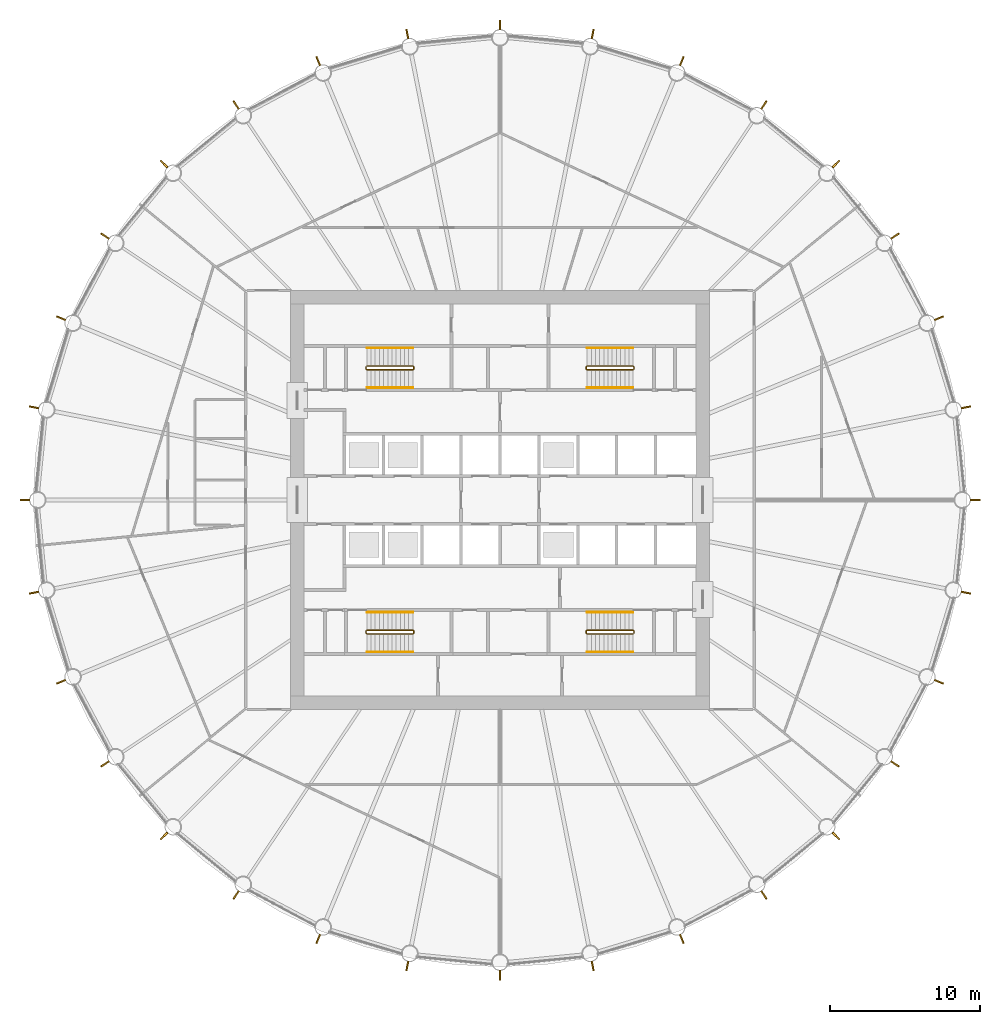
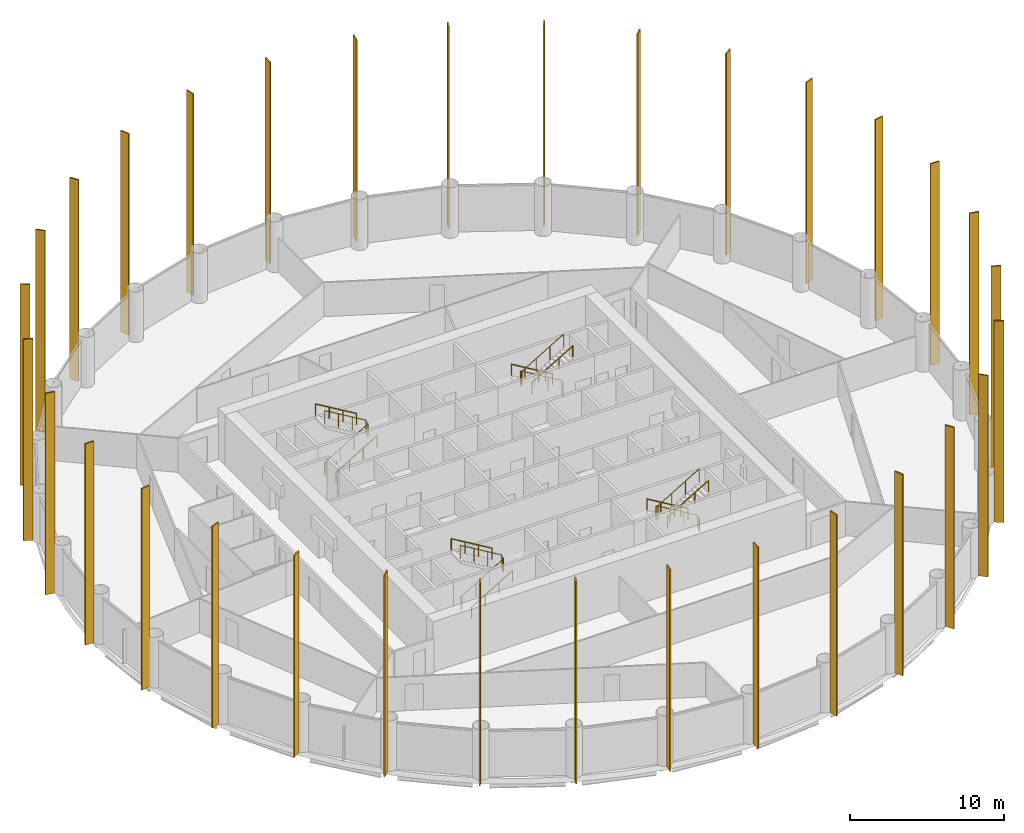
# One storey, part 9 of 10: 32 shading devices, 12 railings.
"""IFC4 building model written with IfcOpenShell, lengths in metres."""

from ifc_helpers import new_model, si_unit, direction, frame, origin, origin_2d, place, context, subcontext, project, spatial, rectangle, circle, extrude, material, material_profile, profile_set, type_object, element, save


model = new_model("IFC4")

# Units and contexts
model_context = context("Model", 3, precision=1e-05, world=origin(), true_north=direction((0.0, 1.0)))
body_context = subcontext(model_context, "Body", "Model", "MODEL_VIEW")
ifc_project = project(units=[si_unit("LENGTHUNIT", "METRE"), si_unit("AREAUNIT", "SQUARE_METRE"), si_unit("VOLUMEUNIT", "CUBIC_METRE"), si_unit("PLANEANGLEUNIT", "RADIAN"), si_unit("MASSUNIT", "GRAM", prefix="KILO")], contexts=[model_context])

# Site, building, storey
site_placement = place(None, origin())
site = spatial("IfcSite", under=ifc_project, at=site_placement, CompositionType="ELEMENT")
building_placement = place(site_placement, origin())
building = spatial("IfcBuilding", under=site, at=building_placement, Name="Corvane Civic Tower", CompositionType="ELEMENT")
storey_placement = place(building_placement, frame((0.0, 0.0, 144.0)))
storey = spatial("IfcBuildingStorey", under=building, at=storey_placement, Name="L33", CompositionType="ELEMENT", Elevation=144.0)

# Railings
ifc_material_1 = material(Name="Steel ASTM A572 Gr 50", Category="steel")
railing_type_1 = type_object("IfcRailingType", Name="ST-GUARD-1100", PredefinedType="GUARDRAIL", material=ifc_material_1)
railing_1_placement = place(storey_placement, frame((8.949951171875, 8.75, 0.0)))
element("IfcRailing", 1, at=railing_1_placement, inside=storey, type_object=railing_type_1, Name="L33 ST1 stair guard 1", PredefinedType="GUARDRAIL", context=body_context, shape_type="SweptSolid", body=[
    extrude(circle(Radius=0.02392578125, at=origin_2d()), frame((0.0, 0.0, 1.076171875), z_axis=(0.0, 1.0, 0.0), x_axis=(-1.0, 0.0, 0.0)), (0.0, 0.0, 1.0), 0.14990234375),
    extrude(circle(Radius=0.02392578125, at=origin_2d()), frame((0.0, 0.14990234375, 1.076171875), z_axis=(-0.27628659633, 0.27628659633, 0.920506074601), x_axis=(-0.707106781187, -0.707106781187, 0.0)), (0.0, 0.0, 1.0), 0.18115234375),
    extrude(circle(Radius=0.02392578125, at=origin_2d()), frame((-0.050048828125, 0.199951171875, 1.24267578125), z_axis=(-0.859290745958, 0.0, 0.51148745235), x_axis=(0.0, -1.0, 0.0)), (0.0, 0.0, 1.0), 3.584228515625),
    extrude(circle(Radius=0.02392578125, at=origin_2d()), frame((-3.1298828125, 0.199951171875, 3.076171875), z_axis=(-0.707106781187, -0.707106781187, 0.0), x_axis=(0.707106781187, -0.707106781187, 0.0)), (0.0, 0.0, 1.0), 0.07080078125),
    extrude(circle(Radius=0.02392578125, at=origin_2d()), frame((-3.179931640625, 0.14990234375, 3.076171875), z_axis=(0.0, -1.0, 0.0), x_axis=(1.0, 0.0, 0.0)), (0.0, 0.0, 1.0), 0.14990234375),
    extrude(circle(Radius=0.02392578125, at=origin_2d()), frame((-3.179931640625, 0.0, 3.076171875), z_axis=(0.27628659633, -0.27628659633, 0.920506074601), x_axis=(0.707106781187, 0.707106781187, 0.0)), (0.0, 0.0, 1.0), 0.18115234375),
    extrude(circle(Radius=0.02392578125, at=origin_2d()), frame((-3.1298828125, -0.050048828125, 3.24267578125), z_axis=(0.859290745958, 0.0, 0.51148745235), x_axis=(0.0, 1.0, 0.0)), (0.0, 0.0, 1.0), 3.584228515625),
    extrude(circle(Radius=0.02099609375, at=origin_2d()), origin(), (0.0, 0.0, 1.0), 1.052001953125),
    extrude(circle(Radius=0.02099609375, at=origin_2d()), frame((0.0, 0.14990234375, 0.0)), (0.0, 0.0, 1.0), 1.052001953125),
    extrude(circle(Radius=0.02099609375, at=origin_2d()), frame((-0.050048828125, 0.199951171875, 0.166748046875)), (0.0, 0.0, 1.0), 1.052001953125),
    extrude(circle(Radius=0.02099609375, at=origin_2d()), frame((-1.07666015625, 0.199951171875, 0.77783203125)), (0.0, 0.0, 1.0), 1.052001953125),
    extrude(circle(Radius=0.02099609375, at=origin_2d()), frame((-2.103271484375, 0.199951171875, 1.388916015625)), (0.0, 0.0, 1.0), 1.052001953125),
    extrude(circle(Radius=0.02099609375, at=origin_2d()), frame((-3.1298828125, 0.199951171875, 2.0)), (0.0, 0.0, 1.0), 1.052001953125),
    extrude(circle(Radius=0.02099609375, at=origin_2d()), frame((-3.179931640625, 0.14990234375, 2.0)), (0.0, 0.0, 1.0), 1.052001953125),
    extrude(circle(Radius=0.02099609375, at=origin_2d()), frame((-3.179931640625, 0.0, 2.0)), (0.0, 0.0, 1.0), 1.052001953125),
    extrude(circle(Radius=0.02099609375, at=origin_2d()), frame((-3.1298828125, -0.050048828125, 2.166748046875)), (0.0, 0.0, 1.0), 1.052001953125),
    extrude(circle(Radius=0.02099609375, at=origin_2d()), frame((-2.103271484375, -0.050048828125, 2.77783203125)), (0.0, 0.0, 1.0), 1.052001953125),
    extrude(circle(Radius=0.02099609375, at=origin_2d()), frame((-1.07666015625, -0.050048828125, 3.388916015625)), (0.0, 0.0, 1.0), 1.052001953125),
    extrude(circle(Radius=0.02099609375, at=origin_2d()), frame((-0.050048828125, -0.050048828125, 4.0)), (0.0, 0.0, 1.0), 1.052001953125),
])
railing_2_placement = place(storey_placement, frame((8.949951171875, -8.89990234375, 0.0)))
element("IfcRailing", 2, at=railing_2_placement, inside=storey, type_object=railing_type_1, Name="L33 ST2 stair guard 1", PredefinedType="GUARDRAIL", context=body_context, shape_type="SweptSolid", body=[
    extrude(circle(Radius=0.02392578125, at=origin_2d()), frame((0.0, 0.0, 1.076171875), z_axis=(0.0, 1.0, 0.0), x_axis=(-1.0, 0.0, 0.0)), (0.0, 0.0, 1.0), 0.14990234375),
    extrude(circle(Radius=0.02392578125, at=origin_2d()), frame((0.0, 0.14990234375, 1.076171875), z_axis=(-0.27628659633, 0.27628659633, 0.920506074601), x_axis=(-0.707106781187, -0.707106781187, 0.0)), (0.0, 0.0, 1.0), 0.18115234375),
    extrude(circle(Radius=0.02392578125, at=origin_2d()), frame((-0.050048828125, 0.199951171875, 1.24267578125), z_axis=(-0.859290745958, 0.0, 0.51148745235), x_axis=(0.0, -1.0, 0.0)), (0.0, 0.0, 1.0), 3.584228515625),
    extrude(circle(Radius=0.02392578125, at=origin_2d()), frame((-3.1298828125, 0.199951171875, 3.076171875), z_axis=(-0.707106781187, -0.707106781187, 0.0), x_axis=(0.707106781187, -0.707106781187, 0.0)), (0.0, 0.0, 1.0), 0.07080078125),
    extrude(circle(Radius=0.02392578125, at=origin_2d()), frame((-3.179931640625, 0.14990234375, 3.076171875), z_axis=(0.0, -1.0, 0.0), x_axis=(1.0, 0.0, 0.0)), (0.0, 0.0, 1.0), 0.14990234375),
    extrude(circle(Radius=0.02392578125, at=origin_2d()), frame((-3.179931640625, 0.0, 3.076171875), z_axis=(0.27628659633, -0.27628659633, 0.920506074601), x_axis=(0.707106781187, 0.707106781187, 0.0)), (0.0, 0.0, 1.0), 0.18115234375),
    extrude(circle(Radius=0.02392578125, at=origin_2d()), frame((-3.1298828125, -0.050048828125, 3.24267578125), z_axis=(0.859290745958, 0.0, 0.51148745235), x_axis=(0.0, 1.0, 0.0)), (0.0, 0.0, 1.0), 3.584228515625),
    extrude(circle(Radius=0.02099609375, at=origin_2d()), origin(), (0.0, 0.0, 1.0), 1.052001953125),
    extrude(circle(Radius=0.02099609375, at=origin_2d()), frame((0.0, 0.14990234375, 0.0)), (0.0, 0.0, 1.0), 1.052001953125),
    extrude(circle(Radius=0.02099609375, at=origin_2d()), frame((-0.050048828125, 0.199951171875, 0.166748046875)), (0.0, 0.0, 1.0), 1.052001953125),
    extrude(circle(Radius=0.02099609375, at=origin_2d()), frame((-1.07666015625, 0.199951171875, 0.77783203125)), (0.0, 0.0, 1.0), 1.052001953125),
    extrude(circle(Radius=0.02099609375, at=origin_2d()), frame((-2.103271484375, 0.199951171875, 1.388916015625)), (0.0, 0.0, 1.0), 1.052001953125),
    extrude(circle(Radius=0.02099609375, at=origin_2d()), frame((-3.1298828125, 0.199951171875, 2.0)), (0.0, 0.0, 1.0), 1.052001953125),
    extrude(circle(Radius=0.02099609375, at=origin_2d()), frame((-3.179931640625, 0.14990234375, 2.0)), (0.0, 0.0, 1.0), 1.052001953125),
    extrude(circle(Radius=0.02099609375, at=origin_2d()), frame((-3.179931640625, 0.0, 2.0)), (0.0, 0.0, 1.0), 1.052001953125),
    extrude(circle(Radius=0.02099609375, at=origin_2d()), frame((-3.1298828125, -0.050048828125, 2.166748046875)), (0.0, 0.0, 1.0), 1.052001953125),
    extrude(circle(Radius=0.02099609375, at=origin_2d()), frame((-2.103271484375, -0.050048828125, 2.77783203125)), (0.0, 0.0, 1.0), 1.052001953125),
    extrude(circle(Radius=0.02099609375, at=origin_2d()), frame((-1.07666015625, -0.050048828125, 3.388916015625)), (0.0, 0.0, 1.0), 1.052001953125),
    extrude(circle(Radius=0.02099609375, at=origin_2d()), frame((-0.050048828125, -0.050048828125, 4.0)), (0.0, 0.0, 1.0), 1.052001953125),
])
railing_3_placement = place(storey_placement, frame((-8.949951171875, -8.75, 0.0)))
element("IfcRailing", 3, at=railing_3_placement, inside=storey, type_object=railing_type_1, Name="L33 ST3 stair guard 1", PredefinedType="GUARDRAIL", context=body_context, shape_type="SweptSolid", body=[
    extrude(circle(Radius=0.02392578125, at=origin_2d()), frame((0.0, 0.0, 1.076171875), z_axis=(0.0, -1.0, 0.0), x_axis=(1.0, 0.0, 0.0)), (0.0, 0.0, 1.0), 0.14990234375),
    extrude(circle(Radius=0.02392578125, at=origin_2d()), frame((0.0, -0.14990234375, 1.076171875), z_axis=(0.27628659633, -0.27628659633, 0.920506074601), x_axis=(0.707106781187, 0.707106781187, 0.0)), (0.0, 0.0, 1.0), 0.18115234375),
    extrude(circle(Radius=0.02392578125, at=origin_2d()), frame((0.050048828125, -0.199951171875, 1.24267578125), z_axis=(0.859290745958, 0.0, 0.51148745235), x_axis=(0.0, 1.0, 0.0)), (0.0, 0.0, 1.0), 3.584228515625),
    extrude(circle(Radius=0.02392578125, at=origin_2d()), frame((3.1298828125, -0.199951171875, 3.076171875), z_axis=(0.707106781187, 0.707106781187, 0.0), x_axis=(-0.707106781187, 0.707106781187, 0.0)), (0.0, 0.0, 1.0), 0.07080078125),
    extrude(circle(Radius=0.02392578125, at=origin_2d()), frame((3.179931640625, -0.14990234375, 3.076171875), z_axis=(0.0, 1.0, 0.0), x_axis=(-1.0, 0.0, 0.0)), (0.0, 0.0, 1.0), 0.14990234375),
    extrude(circle(Radius=0.02392578125, at=origin_2d()), frame((3.179931640625, 0.0, 3.076171875), z_axis=(-0.27628659633, 0.27628659633, 0.920506074601), x_axis=(-0.707106781187, -0.707106781187, 0.0)), (0.0, 0.0, 1.0), 0.18115234375),
    extrude(circle(Radius=0.02392578125, at=origin_2d()), frame((3.1298828125, 0.050048828125, 3.24267578125), z_axis=(-0.859290745958, 0.0, 0.51148745235), x_axis=(0.0, -1.0, 0.0)), (0.0, 0.0, 1.0), 3.584228515625),
    extrude(circle(Radius=0.02099609375, at=origin_2d()), origin(), (0.0, 0.0, 1.0), 1.052001953125),
    extrude(circle(Radius=0.02099609375, at=origin_2d()), frame((0.0, -0.14990234375, 0.0)), (0.0, 0.0, 1.0), 1.052001953125),
    extrude(circle(Radius=0.02099609375, at=origin_2d()), frame((0.050048828125, -0.199951171875, 0.166748046875)), (0.0, 0.0, 1.0), 1.052001953125),
    extrude(circle(Radius=0.02099609375, at=origin_2d()), frame((1.07666015625, -0.199951171875, 0.77783203125)), (0.0, 0.0, 1.0), 1.052001953125),
    extrude(circle(Radius=0.02099609375, at=origin_2d()), frame((2.103271484375, -0.199951171875, 1.388916015625)), (0.0, 0.0, 1.0), 1.052001953125),
    extrude(circle(Radius=0.02099609375, at=origin_2d()), frame((3.1298828125, -0.199951171875, 2.0)), (0.0, 0.0, 1.0), 1.052001953125),
    extrude(circle(Radius=0.02099609375, at=origin_2d()), frame((3.179931640625, -0.14990234375, 2.0)), (0.0, 0.0, 1.0), 1.052001953125),
    extrude(circle(Radius=0.02099609375, at=origin_2d()), frame((3.179931640625, 0.0, 2.0)), (0.0, 0.0, 1.0), 1.052001953125),
    extrude(circle(Radius=0.02099609375, at=origin_2d()), frame((3.1298828125, 0.050048828125, 2.166748046875)), (0.0, 0.0, 1.0), 1.052001953125),
    extrude(circle(Radius=0.02099609375, at=origin_2d()), frame((2.103271484375, 0.050048828125, 2.77783203125)), (0.0, 0.0, 1.0), 1.052001953125),
    extrude(circle(Radius=0.02099609375, at=origin_2d()), frame((1.07666015625, 0.050048828125, 3.388916015625)), (0.0, 0.0, 1.0), 1.052001953125),
    extrude(circle(Radius=0.02099609375, at=origin_2d()), frame((0.050048828125, 0.050048828125, 4.0)), (0.0, 0.0, 1.0), 1.052001953125),
])
railing_4_placement = place(storey_placement, frame((-8.949951171875, 8.89990234375, 0.0)))
element("IfcRailing", 4, at=railing_4_placement, inside=storey, type_object=railing_type_1, Name="L33 ST4 stair guard 1", PredefinedType="GUARDRAIL", context=body_context, shape_type="SweptSolid", body=[
    extrude(circle(Radius=0.02392578125, at=origin_2d()), frame((0.0, 0.0, 1.076171875), z_axis=(0.0, -1.0, 0.0), x_axis=(1.0, 0.0, 0.0)), (0.0, 0.0, 1.0), 0.14990234375),
    extrude(circle(Radius=0.02392578125, at=origin_2d()), frame((0.0, -0.14990234375, 1.076171875), z_axis=(0.27628659633, -0.27628659633, 0.920506074601), x_axis=(0.707106781187, 0.707106781187, 0.0)), (0.0, 0.0, 1.0), 0.18115234375),
    extrude(circle(Radius=0.02392578125, at=origin_2d()), frame((0.050048828125, -0.199951171875, 1.24267578125), z_axis=(0.859290745958, 0.0, 0.51148745235), x_axis=(0.0, 1.0, 0.0)), (0.0, 0.0, 1.0), 3.584228515625),
    extrude(circle(Radius=0.02392578125, at=origin_2d()), frame((3.1298828125, -0.199951171875, 3.076171875), z_axis=(0.707106781187, 0.707106781187, 0.0), x_axis=(-0.707106781187, 0.707106781187, 0.0)), (0.0, 0.0, 1.0), 0.07080078125),
    extrude(circle(Radius=0.02392578125, at=origin_2d()), frame((3.179931640625, -0.14990234375, 3.076171875), z_axis=(0.0, 1.0, 0.0), x_axis=(-1.0, 0.0, 0.0)), (0.0, 0.0, 1.0), 0.14990234375),
    extrude(circle(Radius=0.02392578125, at=origin_2d()), frame((3.179931640625, 0.0, 3.076171875), z_axis=(-0.27628659633, 0.27628659633, 0.920506074601), x_axis=(-0.707106781187, -0.707106781187, 0.0)), (0.0, 0.0, 1.0), 0.18115234375),
    extrude(circle(Radius=0.02392578125, at=origin_2d()), frame((3.1298828125, 0.050048828125, 3.24267578125), z_axis=(-0.859290745958, 0.0, 0.51148745235), x_axis=(0.0, -1.0, 0.0)), (0.0, 0.0, 1.0), 3.584228515625),
    extrude(circle(Radius=0.02099609375, at=origin_2d()), origin(), (0.0, 0.0, 1.0), 1.052001953125),
    extrude(circle(Radius=0.02099609375, at=origin_2d()), frame((0.0, -0.14990234375, 0.0)), (0.0, 0.0, 1.0), 1.052001953125),
    extrude(circle(Radius=0.02099609375, at=origin_2d()), frame((0.050048828125, -0.199951171875, 0.166748046875)), (0.0, 0.0, 1.0), 1.052001953125),
    extrude(circle(Radius=0.02099609375, at=origin_2d()), frame((1.07666015625, -0.199951171875, 0.77783203125)), (0.0, 0.0, 1.0), 1.052001953125),
    extrude(circle(Radius=0.02099609375, at=origin_2d()), frame((2.103271484375, -0.199951171875, 1.388916015625)), (0.0, 0.0, 1.0), 1.052001953125),
    extrude(circle(Radius=0.02099609375, at=origin_2d()), frame((3.1298828125, -0.199951171875, 2.0)), (0.0, 0.0, 1.0), 1.052001953125),
    extrude(circle(Radius=0.02099609375, at=origin_2d()), frame((3.179931640625, -0.14990234375, 2.0)), (0.0, 0.0, 1.0), 1.052001953125),
    extrude(circle(Radius=0.02099609375, at=origin_2d()), frame((3.179931640625, 0.0, 2.0)), (0.0, 0.0, 1.0), 1.052001953125),
    extrude(circle(Radius=0.02099609375, at=origin_2d()), frame((3.1298828125, 0.050048828125, 2.166748046875)), (0.0, 0.0, 1.0), 1.052001953125),
    extrude(circle(Radius=0.02099609375, at=origin_2d()), frame((2.103271484375, 0.050048828125, 2.77783203125)), (0.0, 0.0, 1.0), 1.052001953125),
    extrude(circle(Radius=0.02099609375, at=origin_2d()), frame((1.07666015625, 0.050048828125, 3.388916015625)), (0.0, 0.0, 1.0), 1.052001953125),
    extrude(circle(Radius=0.02099609375, at=origin_2d()), frame((0.050048828125, 0.050048828125, 4.0)), (0.0, 0.0, 1.0), 1.052001953125),
])
ifc_material_2 = material(Name="Steel ASTM A572 Gr 50", Category="steel")
railing_type_2 = type_object("IfcRailingType", Name="ST-HANDRAIL-900", PredefinedType="HANDRAIL", material=ifc_material_2)
railing_5_placement = place(storey_placement, frame((8.89990234375, 10.14990234375, 0.166748046875)))
element("IfcRailing", 5, at=railing_5_placement, inside=storey, type_object=railing_type_2, Name="L33 ST1 stair handrail 1", PredefinedType="HANDRAIL", context=body_context, shape_type="SweptSolid", body=[
    extrude(circle(Radius=0.02392578125, at=origin_2d()), frame((0.0, 0.0, 0.8759765625), z_axis=(-0.859290745958, 0.0, 0.51148745235), x_axis=(0.0, -1.0, 0.0)), (0.0, 0.0, 1.0), 3.584228515625),
    extrude(circle(Radius=0.02099609375, at=origin_2d()), origin(), (0.0, 0.0, 1.0), 0.851806640625),
    extrude(circle(Radius=0.02099609375, at=origin_2d()), frame((-1.026611328125, 0.0, 0.611083984375)), (0.0, 0.0, 1.0), 0.851806640625),
    extrude(circle(Radius=0.02099609375, at=origin_2d()), frame((-2.05322265625, 0.0, 1.22216796875)), (0.0, 0.0, 1.0), 0.851806640625),
    extrude(circle(Radius=0.02099609375, at=origin_2d()), frame((-3.079833984375, 0.0, 1.833251953125)), (0.0, 0.0, 1.0), 0.851806640625),
])
railing_6_placement = place(storey_placement, frame((5.820068359375, 7.5, 2.166748046875)))
element("IfcRailing", 6, at=railing_6_placement, inside=storey, type_object=railing_type_2, Name="L33 ST1 stair handrail 2", PredefinedType="HANDRAIL", context=body_context, shape_type="SweptSolid", body=[
    extrude(circle(Radius=0.02392578125, at=origin_2d()), frame((0.0, 0.0, 0.8759765625), z_axis=(0.859290745958, 0.0, 0.51148745235), x_axis=(0.0, 1.0, 0.0)), (0.0, 0.0, 1.0), 3.584228515625),
    extrude(circle(Radius=0.02099609375, at=origin_2d()), origin(), (0.0, 0.0, 1.0), 0.851806640625),
    extrude(circle(Radius=0.02099609375, at=origin_2d()), frame((1.026611328125, 0.0, 0.611083984375)), (0.0, 0.0, 1.0), 0.851806640625),
    extrude(circle(Radius=0.02099609375, at=origin_2d()), frame((2.05322265625, 0.0, 1.22216796875)), (0.0, 0.0, 1.0), 0.851806640625),
    extrude(circle(Radius=0.02099609375, at=origin_2d()), frame((3.079833984375, 0.0, 1.833251953125)), (0.0, 0.0, 1.0), 0.851806640625),
])
railing_7_placement = place(storey_placement, frame((8.89990234375, -7.5, 0.166748046875)))
element("IfcRailing", 7, at=railing_7_placement, inside=storey, type_object=railing_type_2, Name="L33 ST2 stair handrail 1", PredefinedType="HANDRAIL", context=body_context, shape_type="SweptSolid", body=[
    extrude(circle(Radius=0.02392578125, at=origin_2d()), frame((0.0, 0.0, 0.8759765625), z_axis=(-0.859290745958, 0.0, 0.51148745235), x_axis=(0.0, -1.0, 0.0)), (0.0, 0.0, 1.0), 3.584228515625),
    extrude(circle(Radius=0.02099609375, at=origin_2d()), origin(), (0.0, 0.0, 1.0), 0.851806640625),
    extrude(circle(Radius=0.02099609375, at=origin_2d()), frame((-1.026611328125, 0.0, 0.611083984375)), (0.0, 0.0, 1.0), 0.851806640625),
    extrude(circle(Radius=0.02099609375, at=origin_2d()), frame((-2.05322265625, 0.0, 1.22216796875)), (0.0, 0.0, 1.0), 0.851806640625),
    extrude(circle(Radius=0.02099609375, at=origin_2d()), frame((-3.079833984375, 0.0, 1.833251953125)), (0.0, 0.0, 1.0), 0.851806640625),
])
for number, where, name in (
    (8, (5.820068359375, -10.14990234375, 2.166748046875), "L33 ST2 stair handrail 2"),
    (9, (-8.89990234375, -10.14990234375, 0.166748046875), "L33 ST3 stair handrail 1"),
):
    element("IfcRailing", number, at=place(storey_placement, frame(where)), inside=storey, type_object=railing_type_2, Name=name, PredefinedType="HANDRAIL", context=body_context, shape_type="SweptSolid", body=[
        extrude(circle(Radius=0.02392578125, at=origin_2d()), frame((0.0, 0.0, 0.8759765625), z_axis=(0.859290745958, 0.0, 0.51148745235), x_axis=(0.0, 1.0, 0.0)), (0.0, 0.0, 1.0), 3.584228515625),
        extrude(circle(Radius=0.02099609375, at=origin_2d()), origin(), (0.0, 0.0, 1.0), 0.851806640625),
        extrude(circle(Radius=0.02099609375, at=origin_2d()), frame((1.026611328125, 0.0, 0.611083984375)), (0.0, 0.0, 1.0), 0.851806640625),
        extrude(circle(Radius=0.02099609375, at=origin_2d()), frame((2.05322265625, 0.0, 1.22216796875)), (0.0, 0.0, 1.0), 0.851806640625),
        extrude(circle(Radius=0.02099609375, at=origin_2d()), frame((3.079833984375, 0.0, 1.833251953125)), (0.0, 0.0, 1.0), 0.851806640625),
    ])
railing_8_placement = place(storey_placement, frame((-5.820068359375, -7.5, 2.166748046875)))
element("IfcRailing", 10, at=railing_8_placement, inside=storey, type_object=railing_type_2, Name="L33 ST3 stair handrail 2", PredefinedType="HANDRAIL", context=body_context, shape_type="SweptSolid", body=[
    extrude(circle(Radius=0.02392578125, at=origin_2d()), frame((0.0, 0.0, 0.8759765625), z_axis=(-0.859290745958, 0.0, 0.51148745235), x_axis=(0.0, -1.0, 0.0)), (0.0, 0.0, 1.0), 3.584228515625),
    extrude(circle(Radius=0.02099609375, at=origin_2d()), origin(), (0.0, 0.0, 1.0), 0.851806640625),
    extrude(circle(Radius=0.02099609375, at=origin_2d()), frame((-1.026611328125, 0.0, 0.611083984375)), (0.0, 0.0, 1.0), 0.851806640625),
    extrude(circle(Radius=0.02099609375, at=origin_2d()), frame((-2.05322265625, 0.0, 1.22216796875)), (0.0, 0.0, 1.0), 0.851806640625),
    extrude(circle(Radius=0.02099609375, at=origin_2d()), frame((-3.079833984375, 0.0, 1.833251953125)), (0.0, 0.0, 1.0), 0.851806640625),
])
railing_9_placement = place(storey_placement, frame((-8.89990234375, 7.5, 0.166748046875)))
element("IfcRailing", 11, at=railing_9_placement, inside=storey, type_object=railing_type_2, Name="L33 ST4 stair handrail 1", PredefinedType="HANDRAIL", context=body_context, shape_type="SweptSolid", body=[
    extrude(circle(Radius=0.02392578125, at=origin_2d()), frame((0.0, 0.0, 0.8759765625), z_axis=(0.859290745958, 0.0, 0.51148745235), x_axis=(0.0, 1.0, 0.0)), (0.0, 0.0, 1.0), 3.584228515625),
    extrude(circle(Radius=0.02099609375, at=origin_2d()), origin(), (0.0, 0.0, 1.0), 0.851806640625),
    extrude(circle(Radius=0.02099609375, at=origin_2d()), frame((1.026611328125, 0.0, 0.611083984375)), (0.0, 0.0, 1.0), 0.851806640625),
    extrude(circle(Radius=0.02099609375, at=origin_2d()), frame((2.05322265625, 0.0, 1.22216796875)), (0.0, 0.0, 1.0), 0.851806640625),
    extrude(circle(Radius=0.02099609375, at=origin_2d()), frame((3.079833984375, 0.0, 1.833251953125)), (0.0, 0.0, 1.0), 0.851806640625),
])
railing_10_placement = place(storey_placement, frame((-5.820068359375, 10.14990234375, 2.166748046875)))
element("IfcRailing", 12, at=railing_10_placement, inside=storey, type_object=railing_type_2, Name="L33 ST4 stair handrail 2", PredefinedType="HANDRAIL", context=body_context, shape_type="SweptSolid", body=[
    extrude(circle(Radius=0.02392578125, at=origin_2d()), frame((0.0, 0.0, 0.8759765625), z_axis=(-0.859290745958, 0.0, 0.51148745235), x_axis=(0.0, -1.0, 0.0)), (0.0, 0.0, 1.0), 3.584228515625),
    extrude(circle(Radius=0.02099609375, at=origin_2d()), origin(), (0.0, 0.0, 1.0), 0.851806640625),
    extrude(circle(Radius=0.02099609375, at=origin_2d()), frame((-1.026611328125, 0.0, 0.611083984375)), (0.0, 0.0, 1.0), 0.851806640625),
    extrude(circle(Radius=0.02099609375, at=origin_2d()), frame((-2.05322265625, 0.0, 1.22216796875)), (0.0, 0.0, 1.0), 0.851806640625),
    extrude(circle(Radius=0.02099609375, at=origin_2d()), frame((-3.079833984375, 0.0, 1.833251953125)), (0.0, 0.0, 1.0), 0.851806640625),
])

# Shading devices
ifc_material_3 = material(Name="Anodised aluminium bronze", Category="aluminium")
ifc_material_profile = material_profile(ifc_material_3, rectangle(XDim=0.10009765625, YDim=0.64990234375, at=origin_2d()), Name="TOWER FIN STACK 100x650 BRONZE")
ifc_profile_set = profile_set([ifc_material_profile], Name="Anodised aluminium bronze")
shading_device_type = type_object("IfcShadingDeviceType", Name="TOWER FIN STACK 100x650 BRONZE", PredefinedType="USERDEFINED", material=ifc_profile_set)
for number, where, z_axis, x_axis, name in (
    (13, (0.0, 31.7548828125, 0.0), (0.0, 0.0, 1.0), (1.0, 0.0, 0.0), "Fin 01 L33 to L36"),
    (14, (6.195068359375, 31.144775390625, 0.0), (0.0, 0.0, 1.0), (0.980785280403, -0.195090322016, 0.0), "Fin 02 L33 to L36"),
    (15, (12.152099609375, 29.337890625, 0.0), (0.0, 0.0, 1.0), (0.923879532511, -0.382683432365, 0.0), "Fin 03 L33 to L36"),
    (16, (17.64208984375, 26.4033203125, 0.0), (0.0, 0.0, 1.0), (0.831469612303, -0.55557023302, 0.0), "Fin 04 L33 to L36"),
    (17, (22.4541015625, 22.4541015625, 0.0), (0.0, 0.0, 1.0), (0.707106781187, -0.707106781187, 0.0), "Fin 05 L33 to L36"),
    (18, (26.4033203125, 17.64208984375, 0.0), (0.0, 0.0, 1.0), (0.55557023302, -0.831469612303, 0.0), "Fin 06 L33 to L36"),
    (19, (29.337890625, 12.152099609375, 0.0), (0.0, 0.0, 1.0), (0.382683432365, -0.923879532511, 0.0), "Fin 07 L33 to L36"),
    (20, (31.144775390625, 6.195068359375, 0.0), (0.0, 0.0, 1.0), (0.195090322016, -0.980785280403, 0.0), "Fin 08 L33 to L36"),
    (21, (31.7548828125, 0.0, 0.0), (0.0, 0.0, 1.0), (0.0, -1.0, 0.0), "Fin 09 L33 to L36"),
    (22, (31.144775390625, -6.195068359375, 0.0), (0.0, 0.0, 1.0), (-0.195090322016, -0.980785280403, 0.0), "Fin 10 L33 to L36"),
    (23, (29.337890625, -12.152099609375, 0.0), (0.0, 0.0, 1.0), (-0.382683432365, -0.923879532511, 0.0), "Fin 11 L33 to L36"),
    (24, (26.4033203125, -17.64208984375, 0.0), (0.0, 0.0, 1.0), (-0.55557023302, -0.831469612303, 0.0), "Fin 12 L33 to L36"),
    (25, (22.4541015625, -22.4541015625, 0.0), (0.0, 0.0, 1.0), (-0.707106781187, -0.707106781187, 0.0), "Fin 13 L33 to L36"),
    (26, (17.64208984375, -26.4033203125, 0.0), (0.0, 0.0, 1.0), (-0.831469612303, -0.55557023302, 0.0), "Fin 14 L33 to L36"),
    (27, (12.152099609375, -29.337890625, 0.0), (0.0, 0.0, 1.0), (-0.923879532511, -0.382683432365, 0.0), "Fin 15 L33 to L36"),
    (28, (6.195068359375, -31.144775390625, 0.0), (0.0, 0.0, 1.0), (-0.980785280403, -0.195090322016, 0.0), "Fin 16 L33 to L36"),
    (29, (0.0, -31.7548828125, 0.0), (0.0, 0.0, 1.0), (-1.0, 0.0, 0.0), "Fin 17 L33 to L36"),
    (30, (-6.195068359375, -31.144775390625, 0.0), (0.0, 0.0, 1.0), (-0.980785280403, 0.195090322016, 0.0), "Fin 18 L33 to L36"),
    (31, (-12.152099609375, -29.337890625, 0.0), (0.0, 0.0, 1.0), (-0.923879532511, 0.382683432365, 0.0), "Fin 19 L33 to L36"),
    (32, (-17.64208984375, -26.4033203125, 0.0), (0.0, 0.0, 1.0), (-0.831469612303, 0.55557023302, 0.0), "Fin 20 L33 to L36"),
    (33, (-22.4541015625, -22.4541015625, 0.0), (0.0, 0.0, 1.0), (-0.707106781187, 0.707106781187, 0.0), "Fin 21 L33 to L36"),
    (34, (-26.4033203125, -17.64208984375, 0.0), (0.0, 0.0, 1.0), (-0.55557023302, 0.831469612303, 0.0), "Fin 22 L33 to L36"),
    (35, (-29.337890625, -12.152099609375, 0.0), (0.0, 0.0, 1.0), (-0.382683432365, 0.923879532511, 0.0), "Fin 23 L33 to L36"),
    (36, (-31.144775390625, -6.195068359375, 0.0), (0.0, 0.0, 1.0), (-0.195090322016, 0.980785280403, 0.0), "Fin 24 L33 to L36"),
    (37, (-31.7548828125, 0.0, 0.0), (0.0, 0.0, 1.0), (0.0, 1.0, 0.0), "Fin 25 L33 to L36"),
    (38, (-31.144775390625, 6.195068359375, 0.0), (0.0, 0.0, 1.0), (0.195090322016, 0.980785280403, 0.0), "Fin 26 L33 to L36"),
    (39, (-29.337890625, 12.152099609375, 0.0), (0.0, 0.0, 1.0), (0.382683432365, 0.923879532511, 0.0), "Fin 27 L33 to L36"),
    (40, (-26.4033203125, 17.64208984375, 0.0), (0.0, 0.0, 1.0), (0.55557023302, 0.831469612303, 0.0), "Fin 28 L33 to L36"),
    (41, (-22.4541015625, 22.4541015625, 0.0), (0.0, 0.0, 1.0), (0.707106781187, 0.707106781187, 0.0), "Fin 29 L33 to L36"),
    (42, (-17.64208984375, 26.4033203125, 0.0), (0.0, 0.0, 1.0), (0.831469612303, 0.55557023302, 0.0), "Fin 30 L33 to L36"),
    (43, (-12.152099609375, 29.337890625, 0.0), (0.0, 0.0, 1.0), (0.923879532511, 0.382683432365, 0.0), "Fin 31 L33 to L36"),
    (44, (-6.195068359375, 31.144775390625, 0.0), (0.0, 0.0, 1.0), (0.980785280403, 0.195090322016, 0.0), "Fin 32 L33 to L36"),
):
    element("IfcShadingDevice", number, at=place(storey_placement, frame(where, z_axis=z_axis, x_axis=x_axis)), inside=storey, type_object=shading_device_type, Name=name, ObjectType="FIN", PredefinedType="USERDEFINED", context=body_context, shape_type="SweptSolid", body=[
        extrude(rectangle(XDim=0.10009765625, YDim=0.64990234375, at=origin_2d()), origin(), (0.0, 0.0, 1.0), 16.0),
    ])

save(model, "model.ifc")
